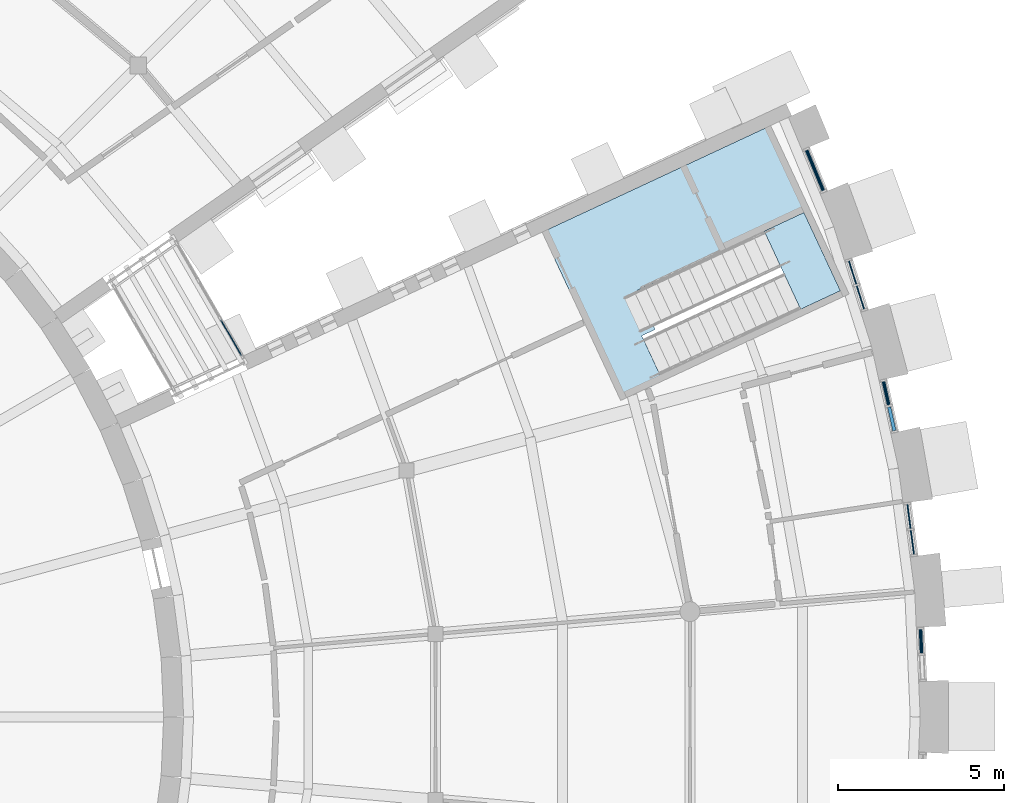
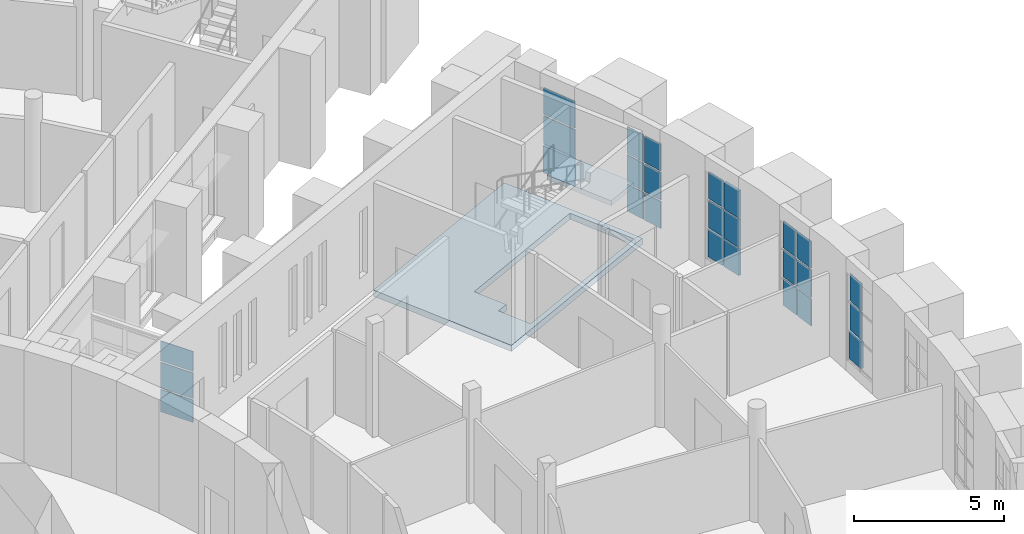
# One storey, part 33 of 66: 27 plates, 2 slabs, 7 elements without a shape of their own.
"""IFC4 building model written with IfcOpenShell, lengths in metres."""

from ifc_helpers import new_model, si_unit, direction, frame, origin, origin_2d, place, context, subcontext, project, spatial, polyline, rectangle, outline, extrude, material, layer, layer_set, type_object, element, aggregate, save


model = new_model("IFC4")

# Units and contexts
model_context = context("Model", 3, precision=1e-05, world=origin(), true_north=direction((0.0, 1.0)))
body_context = subcontext(model_context, "Body", "Model", "MODEL_VIEW")
ifc_project = project(units=[si_unit("LENGTHUNIT", "METRE"), si_unit("AREAUNIT", "SQUARE_METRE"), si_unit("VOLUMEUNIT", "CUBIC_METRE"), si_unit("PLANEANGLEUNIT", "RADIAN"), si_unit("MASSUNIT", "GRAM", prefix="KILO")], contexts=[model_context])

# Site, building, storey
site_placement = place(None, origin())
site = spatial("IfcSite", under=ifc_project, at=site_placement, CompositionType="ELEMENT")
building_placement = place(site_placement, origin())
building = spatial("IfcBuilding", under=site, at=building_placement, Name="Volute Hill Aquarium", CompositionType="ELEMENT")
storey_placement = place(building_placement, frame((0.0, 0.0, 4.60009765625)))
storey = spatial("IfcBuildingStorey", under=building, at=storey_placement, Name="L02", CompositionType="ELEMENT", Elevation=4.60009765625)

# Curtain wall, plates
ifc_material_1 = material(Name="Aluminium and glass", Category="aluminium")
ifc_layer_1 = layer(ifc_material_1, 0.1201171875)
ifc_layer_set_1 = layer_set([ifc_layer_1], Name="Bridge curtain wall")
curtain_wall_type_1 = type_object("IfcCurtainWallType", Name="Bridge curtain wall", PredefinedType="NOTDEFINED", material=ifc_layer_set_1)
curtain_wall_1_placement = place(storey_placement, origin())
curtain_wall_1 = element("IfcCurtainWall", 1, at=curtain_wall_1_placement, inside=storey, type_object=curtain_wall_type_1, Name="br/SC5/L02/cwb", PredefinedType="NOTDEFINED")
ifc_material_2 = material(Name="Laminated glass", Category="glass")
ifc_layer_2 = layer(ifc_material_2, 0.028076171875)
ifc_layer_set_2 = layer_set([ifc_layer_2], Name="Bridge glass panel 28")
plate_type_1 = type_object("IfcPlateType", Name="Bridge glass panel 28", PredefinedType="CURTAIN_PANEL", material=ifc_layer_set_2)
plate_1_placement = place(storey_placement, frame((22.4306640625, 11.428955078125, 0.06005859375), z_axis=(0.0, 0.0, 1.0), x_axis=(-0.50000541072, 0.866022279881, 0.0)))
plate_1 = element("IfcPlate", 2, at=plate_1_placement, type_object=plate_type_1, Name="BR5 panel 1.1", PredefinedType="CURTAIN_PANEL", context=body_context, shape_type="SweptSolid", body=[
    extrude(rectangle(XDim=1.242431640625, YDim=0.028076171875, at=origin_2d()), origin(), (0.0, 0.0, 1.0), 0.909912109375),
])
plate_2_placement = place(storey_placement, frame((22.4306640625, 11.428955078125, 1.02978515625), z_axis=(0.0, 0.0, 1.0), x_axis=(-0.50000541072, 0.866022279881, 0.0)))
plate_2 = element("IfcPlate", 3, at=plate_2_placement, type_object=plate_type_1, Name="BR5 panel 1.2", PredefinedType="CURTAIN_PANEL", context=body_context, shape_type="SweptSolid", body=[
    extrude(rectangle(XDim=1.242431640625, YDim=0.028076171875, at=origin_2d()), origin(), (0.0, 0.0, 1.0), 1.0400390625),
])
plate_3_placement = place(storey_placement, frame((22.4306640625, 11.428955078125, 2.1298828125), z_axis=(0.0, 0.0, 1.0), x_axis=(-0.50000541072, 0.866022279881, 0.0)))
plate_3 = element("IfcPlate", 4, at=plate_3_placement, type_object=plate_type_1, Name="BR5 panel 1.3", PredefinedType="CURTAIN_PANEL", context=body_context, shape_type="SweptSolid", body=[
    extrude(rectangle(XDim=1.242431640625, YDim=0.028076171875, at=origin_2d()), origin(), (0.0, 0.0, 1.0), 0.81005859375),
])
aggregate(curtain_wall_1, [plate_1, plate_2, plate_3])

# Slab
ifc_material_3 = material(Name="Concrete C30/37", Category="concrete")
ifc_layer_3 = layer(ifc_material_3, 0.25)
ifc_layer_set_3 = layer_set([ifc_layer_3], Name="Core floor slab 250")
slab_type_1 = type_object("IfcSlabType", Name="Core floor slab 250", PredefinedType="FLOOR", material=ifc_layer_set_3)
slab_1_placement = place(storey_placement, frame((0.0, 0.0, -0.25)))
element("IfcSlab", 5, at=slab_1_placement, inside=storey, type_object=slab_type_1, Name="cs/S4-B/L02", PredefinedType="FLOOR", context=body_context, shape_type="SweptSolid", body=[
    extrude(outline(polyline([(34.172119140625, 9.53515625), (41.059814453125, 12.7470703125), (38.693115234375, 17.822265625), (31.805419921875, 14.6103515625), (34.172119140625, 9.53515625)]), holes=[polyline([(34.665283203125, 12.8544921875), (39.6953125, 15.2001953125), (40.794189453125, 12.84375), (35.358154296875, 10.308837890625), (34.80859375, 11.487060546875), (35.214599609375, 11.676513671875), (34.665283203125, 12.8544921875)])]), origin(), (0.0, 0.0, 1.0), 0.25),
])

# Curtain wall, plates
ifc_material_4 = material(Name="Aluminium", Category="aluminium")
ifc_layer_4 = layer(ifc_material_4, 0.25)
ifc_layer_set_4 = layer_set([ifc_layer_4], Name="Curtain wall niche S4 module 819")
curtain_wall_type_2 = type_object("IfcCurtainWallType", Name="Curtain wall niche S4 module 819", PredefinedType="NOTDEFINED", material=ifc_layer_set_4)
curtain_wall_2_placement = place(storey_placement, origin())
curtain_wall_2 = element("IfcCurtainWall", 6, at=curtain_wall_2_placement, inside=storey, type_object=curtain_wall_type_2, Name="Curtain wall CW S4 L02 6", PredefinedType="NOTDEFINED")
ifc_material_5 = material(Name="Glass, low-iron laminated", Category="glass")
ifc_layer_5 = layer(ifc_material_5, 0.031982421875)
ifc_layer_set_5 = layer_set([ifc_layer_5], Name="Curtain wall glass panel S4 32")
plate_type_2 = type_object("IfcPlateType", Name="Curtain wall glass panel S4 32", PredefinedType="CURTAIN_PANEL", material=ifc_layer_set_5)
plate_4_placement = place(storey_placement, frame((43.22509765625, 2.281982421875, 1.6630859375), z_axis=(0.0, 0.0, 1.0), x_axis=(-0.043622739916, 0.999048075201, 0.0)))
plate_4 = element("IfcPlate", 7, at=plate_4_placement, type_object=plate_type_2, Name="CW panel 2.2", PredefinedType="CURTAIN_PANEL", context=body_context, shape_type="SweptSolid", body=[
    extrude(rectangle(XDim=0.728759765625, YDim=0.031982421875, at=origin_2d()), origin(), (0.0, 0.0, 1.0), 1.123291015625),
])
plate_5_placement = place(storey_placement, frame((43.22509765625, 2.281982421875, 2.8466796875), z_axis=(0.0, 0.0, 1.0), x_axis=(-0.043622739916, 0.999048075201, 0.0)))
plate_5 = element("IfcPlate", 8, at=plate_5_placement, type_object=plate_type_2, Name="CW panel 2.3", PredefinedType="CURTAIN_PANEL", context=body_context, shape_type="SweptSolid", body=[
    extrude(rectangle(XDim=0.728759765625, YDim=0.031982421875, at=origin_2d()), origin(), (0.0, 0.0, 1.0), 1.09326171875),
])

curtain_wall_3_placement = place(storey_placement, origin())
curtain_wall_3 = element("IfcCurtainWall", 9, at=curtain_wall_3_placement, inside=storey, type_object=curtain_wall_type_2, Name="Curtain wall CW S4 L02 7", PredefinedType="NOTDEFINED")
plate_6_placement = place(storey_placement, frame((42.964599609375, 5.258544921875, 0.510009765625), z_axis=(0.0, 0.0, 1.0), x_axis=(-0.130515808269, 0.991446228392, 0.0)))
plate_6 = element("IfcPlate", 10, at=plate_6_placement, type_object=plate_type_2, Name="CW panel 1.1", PredefinedType="CURTAIN_PANEL", context=body_context, shape_type="SweptSolid", body=[
    extrude(rectangle(XDim=0.728759765625, YDim=0.031982421875, at=origin_2d()), origin(), (0.0, 0.0, 1.0), 1.09326171875),
])
plate_7_placement = place(storey_placement, frame((42.964599609375, 5.258544921875, 1.6630859375), z_axis=(0.0, 0.0, 1.0), x_axis=(-0.130515808269, 0.991446228392, 0.0)))
plate_7 = element("IfcPlate", 11, at=plate_7_placement, type_object=plate_type_2, Name="CW panel 1.2", PredefinedType="CURTAIN_PANEL", context=body_context, shape_type="SweptSolid", body=[
    extrude(rectangle(XDim=0.728759765625, YDim=0.031982421875, at=origin_2d()), origin(), (0.0, 0.0, 1.0), 1.123291015625),
])
plate_8_placement = place(storey_placement, frame((42.964599609375, 5.258544921875, 2.8466796875), z_axis=(0.0, 0.0, 1.0), x_axis=(-0.130515808269, 0.991446228392, 0.0)))
plate_8 = element("IfcPlate", 12, at=plate_8_placement, type_object=plate_type_2, Name="CW panel 1.3", PredefinedType="CURTAIN_PANEL", context=body_context, shape_type="SweptSolid", body=[
    extrude(rectangle(XDim=0.728759765625, YDim=0.031982421875, at=origin_2d()), origin(), (0.0, 0.0, 1.0), 1.09326171875),
])
plate_9_placement = place(storey_placement, frame((42.86181640625, 6.04052734375, 0.510009765625), z_axis=(0.0, 0.0, 1.0), x_axis=(-0.130515808269, 0.991446228392, 0.0)))
plate_9 = element("IfcPlate", 13, at=plate_9_placement, type_object=plate_type_2, Name="CW panel 2.1", PredefinedType="CURTAIN_PANEL", context=body_context, shape_type="SweptSolid", body=[
    extrude(rectangle(XDim=0.728759765625, YDim=0.031982421875, at=origin_2d()), origin(), (0.0, 0.0, 1.0), 1.09326171875),
])
plate_10_placement = place(storey_placement, frame((42.86181640625, 6.04052734375, 1.6630859375), z_axis=(0.0, 0.0, 1.0), x_axis=(-0.130515808269, 0.991446228392, 0.0)))
plate_10 = element("IfcPlate", 14, at=plate_10_placement, type_object=plate_type_2, Name="CW panel 2.2", PredefinedType="CURTAIN_PANEL", context=body_context, shape_type="SweptSolid", body=[
    extrude(rectangle(XDim=0.728759765625, YDim=0.031982421875, at=origin_2d()), origin(), (0.0, 0.0, 1.0), 1.123291015625),
])
plate_11_placement = place(storey_placement, frame((42.86181640625, 6.04052734375, 2.8466796875), z_axis=(0.0, 0.0, 1.0), x_axis=(-0.130515808269, 0.991446228392, 0.0)))
plate_11 = element("IfcPlate", 15, at=plate_11_placement, type_object=plate_type_2, Name="CW panel 2.3", PredefinedType="CURTAIN_PANEL", context=body_context, shape_type="SweptSolid", body=[
    extrude(rectangle(XDim=0.728759765625, YDim=0.031982421875, at=origin_2d()), origin(), (0.0, 0.0, 1.0), 1.09326171875),
])
aggregate(curtain_wall_3, [plate_6, plate_7, plate_8, plate_9, plate_10, plate_11])

curtain_wall_4_placement = place(storey_placement, origin())
curtain_wall_4 = element("IfcCurtainWall", 16, at=curtain_wall_4_placement, inside=storey, type_object=curtain_wall_type_2, Name="Curtain wall CW S4 L02 8", PredefinedType="NOTDEFINED")
plate_12_placement = place(storey_placement, frame((42.172119140625, 9.753173828125, 1.6630859375), z_axis=(0.0, 0.0, 1.0), x_axis=(-0.216436399795, 0.976296719673, 0.0)))
plate_12 = element("IfcPlate", 17, at=plate_12_placement, type_object=plate_type_2, Name="CW panel 2.2", PredefinedType="CURTAIN_PANEL", context=body_context, shape_type="SweptSolid", body=[
    extrude(rectangle(XDim=0.728759765625, YDim=0.031982421875, at=origin_2d()), origin(), (0.0, 0.0, 1.0), 1.123291015625),
])
plate_13_placement = place(storey_placement, frame((42.172119140625, 9.753173828125, 2.8466796875), z_axis=(0.0, 0.0, 1.0), x_axis=(-0.216436399795, 0.976296719673, 0.0)))
plate_13 = element("IfcPlate", 18, at=plate_13_placement, type_object=plate_type_2, Name="CW panel 2.3", PredefinedType="CURTAIN_PANEL", context=body_context, shape_type="SweptSolid", body=[
    extrude(rectangle(XDim=0.728759765625, YDim=0.031982421875, at=origin_2d()), origin(), (0.0, 0.0, 1.0), 1.09326171875),
])

curtain_wall_5_placement = place(storey_placement, origin())
curtain_wall_5 = element("IfcCurtainWall", 19, at=curtain_wall_5_placement, inside=storey, type_object=curtain_wall_type_2, Name="Curtain wall CW S4 L02 9", PredefinedType="NOTDEFINED")
plate_14_placement = place(storey_placement, frame((41.398681640625, 12.639404296875, 0.510009765625), z_axis=(0.0, 0.0, 1.0), x_axis=(-0.300709576466, 0.953715759869, 0.0)))
plate_14 = element("IfcPlate", 20, at=plate_14_placement, type_object=plate_type_2, Name="CW panel 1.1", PredefinedType="CURTAIN_PANEL", context=body_context, shape_type="SweptSolid", body=[
    extrude(rectangle(XDim=0.728759765625, YDim=0.031982421875, at=origin_2d()), origin(), (0.0, 0.0, 1.0), 1.09326171875),
])
plate_15_placement = place(storey_placement, frame((41.398681640625, 12.639404296875, 1.6630859375), z_axis=(0.0, 0.0, 1.0), x_axis=(-0.300709576466, 0.953715759869, 0.0)))
plate_15 = element("IfcPlate", 21, at=plate_15_placement, type_object=plate_type_2, Name="CW panel 1.2", PredefinedType="CURTAIN_PANEL", context=body_context, shape_type="SweptSolid", body=[
    extrude(rectangle(XDim=0.728759765625, YDim=0.031982421875, at=origin_2d()), origin(), (0.0, 0.0, 1.0), 1.123291015625),
])
plate_16_placement = place(storey_placement, frame((41.398681640625, 12.639404296875, 2.8466796875), z_axis=(0.0, 0.0, 1.0), x_axis=(-0.300709576466, 0.953715759869, 0.0)))
plate_16 = element("IfcPlate", 22, at=plate_16_placement, type_object=plate_type_2, Name="CW panel 1.3", PredefinedType="CURTAIN_PANEL", context=body_context, shape_type="SweptSolid", body=[
    extrude(rectangle(XDim=0.728759765625, YDim=0.031982421875, at=origin_2d()), origin(), (0.0, 0.0, 1.0), 1.09326171875),
])
plate_17_placement = place(storey_placement, frame((41.16162109375, 13.391845703125, 0.510009765625), z_axis=(0.0, 0.0, 1.0), x_axis=(-0.300709576466, 0.953715759869, 0.0)))
plate_17 = element("IfcPlate", 23, at=plate_17_placement, type_object=plate_type_2, Name="CW panel 2.1", PredefinedType="CURTAIN_PANEL", context=body_context, shape_type="SweptSolid", body=[
    extrude(rectangle(XDim=0.728759765625, YDim=0.031982421875, at=origin_2d()), origin(), (0.0, 0.0, 1.0), 1.09326171875),
])
plate_18_placement = place(storey_placement, frame((41.16162109375, 13.391845703125, 1.6630859375), z_axis=(0.0, 0.0, 1.0), x_axis=(-0.300709576466, 0.953715759869, 0.0)))
plate_18 = element("IfcPlate", 24, at=plate_18_placement, type_object=plate_type_2, Name="CW panel 2.2", PredefinedType="CURTAIN_PANEL", context=body_context, shape_type="SweptSolid", body=[
    extrude(rectangle(XDim=0.728759765625, YDim=0.031982421875, at=origin_2d()), origin(), (0.0, 0.0, 1.0), 1.123291015625),
])
plate_19_placement = place(storey_placement, frame((41.16162109375, 13.391845703125, 2.8466796875), z_axis=(0.0, 0.0, 1.0), x_axis=(-0.300709576466, 0.953715759869, 0.0)))
plate_19 = element("IfcPlate", 25, at=plate_19_placement, type_object=plate_type_2, Name="CW panel 2.3", PredefinedType="CURTAIN_PANEL", context=body_context, shape_type="SweptSolid", body=[
    extrude(rectangle(XDim=0.728759765625, YDim=0.031982421875, at=origin_2d()), origin(), (0.0, 0.0, 1.0), 1.09326171875),
])
aggregate(curtain_wall_5, [plate_14, plate_15, plate_16, plate_17, plate_18, plate_19])

ifc_material_6 = material(Name="Aluminium", Category="aluminium")
ifc_layer_6 = layer(ifc_material_6, 0.25)
ifc_layer_set_6 = layer_set([ifc_layer_6], Name="Curtain wall niche S4 module 1437")
curtain_wall_type_3 = type_object("IfcCurtainWallType", Name="Curtain wall niche S4 module 1437", PredefinedType="NOTDEFINED", material=ifc_layer_set_6)
curtain_wall_6_placement = place(storey_placement, origin())
curtain_wall_6 = element("IfcCurtainWall", 26, at=curtain_wall_6_placement, inside=storey, type_object=curtain_wall_type_3, Name="Curtain wall CW S4 L02 10", PredefinedType="NOTDEFINED")
plate_20_placement = place(storey_placement, frame((40.027099609375, 16.471435546875, 1.6630859375), z_axis=(0.0, 0.0, 1.0), x_axis=(-0.38269714514, 0.923873852375, 0.0)))
plate_20 = element("IfcPlate", 27, at=plate_20_placement, type_object=plate_type_2, Name="CW panel 1.2", PredefinedType="CURTAIN_PANEL", context=body_context, shape_type="SweptSolid", body=[
    extrude(rectangle(XDim=1.317138671875, YDim=0.031982421875, at=origin_2d()), origin(), (0.0, 0.0, 1.0), 1.123291015625),
])
plate_21_placement = place(storey_placement, frame((40.027099609375, 16.471435546875, 2.8466796875), z_axis=(0.0, 0.0, 1.0), x_axis=(-0.38269714514, 0.923873852375, 0.0)))
plate_21 = element("IfcPlate", 28, at=plate_21_placement, type_object=plate_type_2, Name="CW panel 1.3", PredefinedType="CURTAIN_PANEL", context=body_context, shape_type="SweptSolid", body=[
    extrude(rectangle(XDim=1.317138671875, YDim=0.031982421875, at=origin_2d()), origin(), (0.0, 0.0, 1.0), 1.09326171875),
])

# Plate
ifc_material_7 = material(Name="Aluminium", Category="aluminium")
ifc_layer_7 = layer(ifc_material_7, 0.10009765625)
ifc_layer_set_7 = layer_set([ifc_layer_7], Name="Curtain wall insulated spandrel panel 100")
plate_type_3 = type_object("IfcPlateType", Name="Curtain wall insulated spandrel panel 100", PredefinedType="CURTAIN_PANEL", material=ifc_layer_set_7)
plate_22_placement = place(storey_placement, frame((43.22509765625, 2.281982421875, 0.510009765625), z_axis=(0.0, 0.0, 1.0), x_axis=(-0.043622739916, 0.999048075201, 0.0)))
plate_22 = element("IfcPlate", 29, at=plate_22_placement, type_object=plate_type_3, Name="CW panel 2.1", PredefinedType="CURTAIN_PANEL", context=body_context, shape_type="SweptSolid", body=[
    extrude(rectangle(XDim=0.728759765625, YDim=0.10009765625, at=origin_2d()), origin(), (0.0, 0.0, 1.0), 1.09326171875),
])

aggregate(curtain_wall_2, [plate_22, plate_4, plate_5])

plate_23_placement = place(storey_placement, frame((42.3427734375, 8.983154296875, 0.510009765625), z_axis=(0.0, 0.0, 1.0), x_axis=(-0.216436399795, 0.976296719673, 0.0)))
plate_23 = element("IfcPlate", 30, at=plate_23_placement, type_object=plate_type_3, Name="CW panel 1.1", PredefinedType="CURTAIN_PANEL", context=body_context, shape_type="SweptSolid", body=[
    extrude(rectangle(XDim=0.728759765625, YDim=0.10009765625, at=origin_2d()), origin(), (0.0, 0.0, 1.0), 1.09326171875),
])

plate_24_placement = place(storey_placement, frame((42.3427734375, 8.983154296875, 1.6630859375), z_axis=(0.0, 0.0, 1.0), x_axis=(-0.216436399795, 0.976296719673, 0.0)))
plate_24 = element("IfcPlate", 31, at=plate_24_placement, type_object=plate_type_3, Name="CW panel 1.2", PredefinedType="CURTAIN_PANEL", context=body_context, shape_type="SweptSolid", body=[
    extrude(rectangle(XDim=0.728759765625, YDim=0.10009765625, at=origin_2d()), origin(), (0.0, 0.0, 1.0), 1.123291015625),
])

plate_25_placement = place(storey_placement, frame((42.3427734375, 8.983154296875, 2.8466796875), z_axis=(0.0, 0.0, 1.0), x_axis=(-0.216436399795, 0.976296719673, 0.0)))
plate_25 = element("IfcPlate", 32, at=plate_25_placement, type_object=plate_type_3, Name="CW panel 1.3", PredefinedType="CURTAIN_PANEL", context=body_context, shape_type="SweptSolid", body=[
    extrude(rectangle(XDim=0.728759765625, YDim=0.10009765625, at=origin_2d()), origin(), (0.0, 0.0, 1.0), 1.09326171875),
])

plate_26_placement = place(storey_placement, frame((42.172119140625, 9.753173828125, 0.510009765625), z_axis=(0.0, 0.0, 1.0), x_axis=(-0.216436399795, 0.976296719673, 0.0)))
plate_26 = element("IfcPlate", 33, at=plate_26_placement, type_object=plate_type_3, Name="CW panel 2.1", PredefinedType="CURTAIN_PANEL", context=body_context, shape_type="SweptSolid", body=[
    extrude(rectangle(XDim=0.728759765625, YDim=0.10009765625, at=origin_2d()), origin(), (0.0, 0.0, 1.0), 1.09326171875),
])

aggregate(curtain_wall_4, [plate_23, plate_24, plate_25, plate_26, plate_12, plate_13])

plate_27_placement = place(storey_placement, frame((40.027099609375, 16.471435546875, 0.510009765625), z_axis=(0.0, 0.0, 1.0), x_axis=(-0.38269714514, 0.923873852375, 0.0)))
plate_27 = element("IfcPlate", 34, at=plate_27_placement, type_object=plate_type_3, Name="CW panel 1.1", PredefinedType="CURTAIN_PANEL", context=body_context, shape_type="SweptSolid", body=[
    extrude(rectangle(XDim=1.317138671875, YDim=0.10009765625, at=origin_2d()), origin(), (0.0, 0.0, 1.0), 1.09326171875),
])

aggregate(curtain_wall_6, [plate_27, plate_20, plate_21])

# Stair, slab
ifc_material_8 = material(Name="Concrete C35/45", Category="concrete")
stair_type = type_object("IfcStairType", Name="Stair C35/45", PredefinedType="HALF_TURN_STAIR", material=ifc_material_8)
stair_placement = place(storey_placement, origin())
stair = element("IfcStair", 35, at=stair_placement, inside=storey, type_object=stair_type, Name="ST/S4-B/L02", PredefinedType="HALF_TURN_STAIR")
ifc_material_9 = material(Name="Concrete C35/45", Category="concrete")
ifc_layer_8 = layer(ifc_material_9, 0.199951171875)
ifc_layer_set_8 = layer_set([ifc_layer_8], Name="Stair landing C35/45 200")
slab_type_2 = type_object("IfcSlabType", Name="Stair landing C35/45 200", PredefinedType="LANDING", material=ifc_layer_set_8)
slab_2_placement = place(storey_placement, frame((0.0, 0.0, 2.099853515625)))
slab_2 = element("IfcSlab", 36, at=slab_2_placement, type_object=slab_type_2, Name="ST-S4-B-02 landing 1", PredefinedType="LANDING", context=body_context, shape_type="SweptSolid", body=[
    extrude(outline(polyline([(39.595947265625, 12.284912109375), (40.794189453125, 12.84375), (39.6953125, 15.2001953125), (38.497314453125, 14.641357421875), (39.595947265625, 12.284912109375)])), origin(), (0.0, 0.0, 1.0), 0.199951171875),
])
aggregate(stair, [slab_2])

save(model, "model.ifc")
